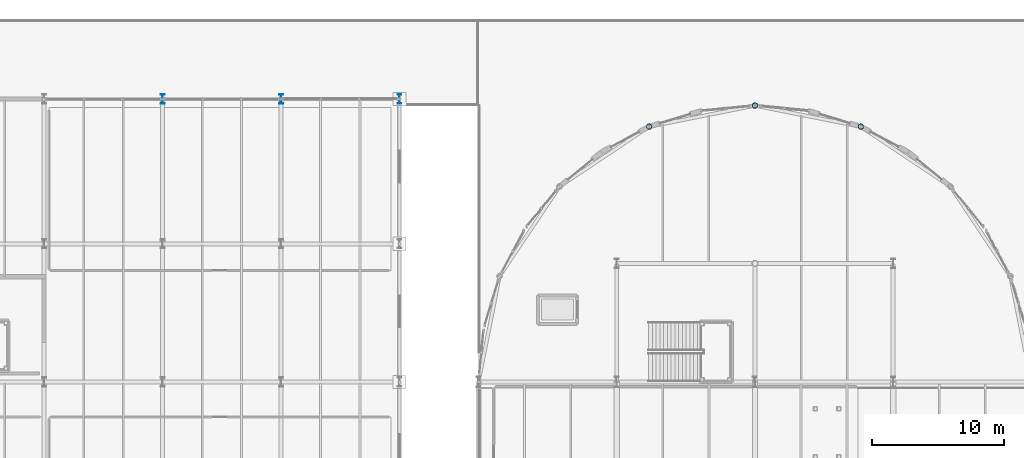
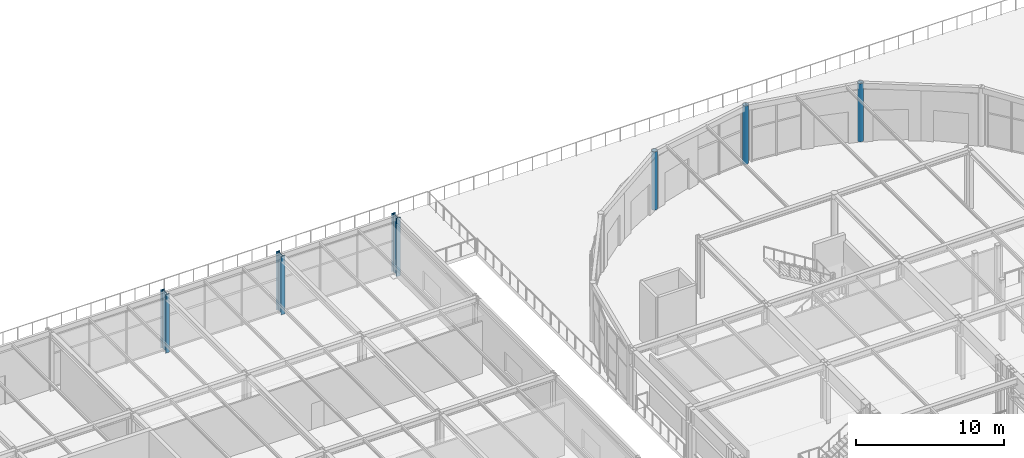
# One storey, part 26 of 143: 6 columns.
"""IFC4 building model written with IfcOpenShell, lengths in metres."""

import ifcopenshell
import ifcopenshell.guid

model = None  # the IFC model being written
_history = None  # IfcOwnerHistory: only IFC2X3 demands one
_inside = {}  # id of a spatial element -> (the spatial element, [elements in it])
_under = {}  # id of a project, library or spatial element -> (it, [spatial elements below it])
_declared = {}  # id of a project -> (the project, [libraries it declares])
_typed = {}  # id of a type object -> (the type object, [elements of that type])
_made_of = {}  # id of a material, layer set ... -> (it, [elements and type objects made of it])


def new_model(schema):
    """Start an empty IFC model of exactly this schema.

    Asked for "IFC4X3", IfcOpenShell would pick the latest addendum, in which some entities
    have other attributes; the version numbers below select the first issue.
    IFC2X3 requires an IfcOwnerHistory on every rooted entity: one is made here for all.
    """
    global model, _history
    if schema == "IFC4X3":
        model = ifcopenshell.file(schema_version=(4, 3, 0, 0))
    else:
        model = ifcopenshell.file(schema=schema)
    _inside.clear()
    _under.clear()
    _declared.clear()
    _typed.clear()
    _made_of.clear()
    _history = None
    if model.schema == "IFC2X3":
        org = make("IfcOrganization", Name="unknown")
        user = make(
            "IfcPersonAndOrganization",
            ThePerson=make("IfcPerson", FamilyName="unknown"),
            TheOrganization=org,
        )
        app = make(
            "IfcApplication",
            ApplicationDeveloper=org,
            Version="unknown",
            ApplicationFullName="unknown",
            ApplicationIdentifier="unknown",
        )
        _history = make(
            "IfcOwnerHistory",
            OwningUser=user,
            OwningApplication=app,
            ChangeAction="ADDED",
            CreationDate=0,
        )
    return model


def make(cls, **values):
    """One entity of the class cls with the attributes given. An attribute that is None is left unset."""
    return model.create_entity(
        cls, **{name: value for name, value in values.items() if value is not None}
    )


def rooted(cls, **values):
    """An entity with a GlobalId (a new one), such as an element, a storey or a relation."""
    return make(cls, GlobalId=ifcopenshell.guid.new(), OwnerHistory=_history, **values)


def si_unit(unit_type, name, prefix=None):
    """IfcSIUnit, for example si_unit("LENGTHUNIT", "METRE", prefix="MILLI")."""
    return make("IfcSIUnit", UnitType=unit_type, Prefix=prefix, Name=name)


def assignment(units):
    """IfcUnitAssignment: the units of a project."""
    return None if units is None else make("IfcUnitAssignment", Units=units)


def point(xyz):
    """IfcCartesianPoint."""
    return None if xyz is None else make("IfcCartesianPoint", Coordinates=xyz)


def direction(xyz):
    """IfcDirection."""
    return None if xyz is None else make("IfcDirection", DirectionRatios=xyz)


def frame(location, z_axis=None, x_axis=None):
    """IfcAxis2Placement3D, a coordinate frame: its origin and axes. An axis left out is left unset."""
    return make(
        "IfcAxis2Placement3D",
        Location=point(location),
        Axis=direction(z_axis),
        RefDirection=direction(x_axis),
    )


def frame_2d(location, x_axis=None):
    """IfcAxis2Placement2D, a coordinate frame in the plane: its origin and x axis."""
    return make(
        "IfcAxis2Placement2D", Location=point(location), RefDirection=direction(x_axis)
    )


def origin():
    """The frame at (0, 0, 0) with its axes left unset."""
    return frame((0.0, 0.0, 0.0))


def origin_2d():
    """The frame at (0, 0) in the plane with its x axis left unset."""
    return frame_2d((0.0, 0.0))


def place(relative_to, where):
    """IfcLocalPlacement: puts the frame where relative to a parent placement (None: the world)."""
    return make(
        "IfcLocalPlacement", PlacementRelTo=relative_to, RelativePlacement=where
    )


def context(
    kind, dimensions, precision=None, world=None, true_north=None, identifier=None
):
    """IfcGeometricRepresentationContext, for example the 3D "Model" context."""
    return make(
        "IfcGeometricRepresentationContext",
        ContextIdentifier=identifier,
        ContextType=kind,
        CoordinateSpaceDimension=dimensions,
        Precision=precision,
        WorldCoordinateSystem=world,
        TrueNorth=true_north,
    )


def subcontext(parent, identifier, kind, view, scale=None):
    """IfcGeometricRepresentationSubContext, for example "Body" below "Model"."""
    return make(
        "IfcGeometricRepresentationSubContext",
        ContextIdentifier=identifier,
        ContextType=kind,
        ParentContext=parent,
        TargetScale=scale,
        TargetView=view,
    )


def project(units=None, contexts=None):
    """IfcProject with its units and contexts."""
    return rooted(
        "IfcProject",
        Name="project",
        RepresentationContexts=contexts,
        UnitsInContext=assignment(units),
    )


def spatial(cls, under=None, at=None, **own):
    """A site, building, storey or space (cls), placed at a placement, below another one or the project."""
    s = rooted(cls, ObjectPlacement=at, **own)
    if under is not None:
        _under.setdefault(under.id(), (under, []))[1].append(s)
    return s


def profile(cls, at=None, kind="AREA", **sizes):
    """A parametric profile (cls). Its sizes go by their IFC names, for example OverallWidth=200.0."""
    return make(cls, ProfileType=kind, Position=at, **sizes)


def hollow_circle(**sizes):
    """IfcCircleHollowProfileDef."""
    return profile("IfcCircleHollowProfileDef", **sizes)


def i_section(**sizes):
    """IfcIShapeProfileDef."""
    return profile("IfcIShapeProfileDef", **sizes)


def extrude(swept, where, along, depth):
    """IfcExtrudedAreaSolid: the profile swept, set in the frame where, extruded along a direction by depth."""
    return make(
        "IfcExtrudedAreaSolid",
        SweptArea=swept,
        Position=where,
        ExtrudedDirection=direction(along),
        Depth=depth,
    )


def shape(context_of_items, identifier, shape_type, items):
    """IfcShapeRepresentation: the items that make up one representation, for example the "Body"."""
    return make(
        "IfcShapeRepresentation",
        ContextOfItems=context_of_items,
        RepresentationIdentifier=identifier,
        RepresentationType=shape_type,
        Items=items,
    )


def material(Name=None, Category=None):
    """IfcMaterial."""
    return make("IfcMaterial", Name=Name, Category=Category)


def material_profile(
    of_material, cross_section, Name=None, Category=None, Priority=None
):
    """IfcMaterialProfile: a cross section and its material."""
    return make(
        "IfcMaterialProfile",
        Name=Name,
        Material=of_material,
        Profile=cross_section,
        Priority=Priority,
        Category=Category,
    )


def profile_set(profiles, Name=None, composite=None):
    """IfcMaterialProfileSet."""
    return make(
        "IfcMaterialProfileSet",
        Name=Name,
        MaterialProfiles=profiles,
        CompositeProfile=composite,
    )


def made_of(thing, what):
    """Note that an element or type object is made of a material, layer set ...; save() writes the relation."""
    if what is not None:
        _made_of.setdefault(what.id(), (what, []))[1].append(thing)
    return thing


def type_object(cls, material=None, **own):
    """A type object (cls), such as IfcWallType, which elements share."""
    return made_of(rooted(cls, **own), material)


def element(
    cls,
    number,
    at=None,
    inside=None,
    cuts=None,
    type_object=None,
    material=None,
    context=None,
    identifier="Body",
    shape_type=None,
    held_by="IfcProductDefinitionShape",
    body=None,
    shapes=None,
    **own,
):
    """One element of the class cls, such as IfcWall. Its Tag is "e" and its number.

    at: its placement. inside: the storey or other place that contains it. cuts: it is an
    opening in that element (IfcRelVoidsElement). A single representation is given by context,
    identifier, shape_type and body (its items); several are given by shapes. held_by: the class
    of the entity that holds the representations. save() writes the other relations.
    """
    e = rooted(cls, Tag="e%d" % number, ObjectPlacement=at, **own)
    if body is not None:
        shapes = [shape(context, identifier, shape_type, body)]
    if shapes is not None:
        e.Representation = make(held_by, Representations=shapes)
    if inside is not None:
        _inside.setdefault(inside.id(), (inside, []))[1].append(e)
    if cuts is not None:
        rooted(
            "IfcRelVoidsElement", RelatingBuildingElement=cuts, RelatedOpeningElement=e
        )
    if type_object is not None:
        _typed.setdefault(type_object.id(), (type_object, []))[1].append(e)
    return made_of(e, material)


def aggregate(whole, parts):
    """IfcRelAggregates: a whole, such as a stair, and the parts it consists of."""
    return rooted("IfcRelAggregates", RelatingObject=whole, RelatedObjects=parts)


def save(model, path):
    """Write the relations noted so far, then the file.

    IfcRelAggregates (storeys below a building ...), IfcRelContainedInSpatialStructure (elements
    in a storey), IfcRelDefinesByType, IfcRelAssociatesMaterial and IfcRelDeclares: one each for
    every whole, place, type object, material and project.
    """
    for whole, parts in _under.values():
        aggregate(whole, parts)
    for where, things in _inside.values():
        rooted(
            "IfcRelContainedInSpatialStructure",
            RelatedElements=things,
            RelatingStructure=where,
        )
    for kind, things in _typed.values():
        rooted("IfcRelDefinesByType", RelatedObjects=things, RelatingType=kind)
    for what, things in _made_of.values():
        rooted("IfcRelAssociatesMaterial", RelatedObjects=things, RelatingMaterial=what)
    for by, libraries in _declared.values():
        rooted("IfcRelDeclares", RelatingContext=by, RelatedDefinitions=libraries)
    model.write(path)


model = new_model("IFC4")

# Units and contexts
model_context = context("Model", 3, precision=1e-05, world=origin(), true_north=direction((0.0, 1.0)))
body_context = subcontext(model_context, "Body", "Model", "MODEL_VIEW")
ifc_project = project(units=[si_unit("LENGTHUNIT", "METRE"), si_unit("AREAUNIT", "SQUARE_METRE"), si_unit("VOLUMEUNIT", "CUBIC_METRE"), si_unit("PLANEANGLEUNIT", "RADIAN"), si_unit("MASSUNIT", "GRAM", prefix="KILO")], contexts=[model_context])

# Site, building, storey
site_placement = place(None, origin())
site = spatial("IfcSite", under=ifc_project, at=site_placement, CompositionType="ELEMENT")
building_placement = place(site_placement, origin())
building = spatial("IfcBuilding", under=site, at=building_placement, Name="Marlcrest Central Station", CompositionType="ELEMENT")
storey_placement = place(building_placement, frame((0.0, 0.0, 4.800048828125)))
storey = spatial("IfcBuildingStorey", under=building, at=storey_placement, Name="L01", CompositionType="ELEMENT", Elevation=4.800048828125)

# Columns
ifc_material = material(Name="Steel S355", Category="steel")
ifc_material_profile_1 = material_profile(ifc_material, i_section(OverallWidth=0.300048828125, OverallDepth=0.699951171875, WebThickness=0.01708984375, FlangeThickness=0.031982421875, FilletRadius=0.027099609375, at=origin_2d()), Name="HEB 700")
ifc_profile_set_1 = profile_set([ifc_material_profile_1], Name="Steel S355")
column_type_1 = type_object("IfcColumnType", Name="SC-07", PredefinedType="COLUMN", material=ifc_profile_set_1)
for number, where, z_axis, x_axis, name in (
    (1, (63.0, 132.0, 0.0), (0.0, 0.0, 1.0), (1.0, 0.0, 0.0), "col-SC-07-L01-0108"),
    (2, (72.0, 132.0, 0.0), (0.0, 0.0, 1.0), (1.0, 0.0, 0.0), "col-SC-07-L01-0112"),
    (3, (81.0, 132.0, 0.0), (0.0, 0.0, 1.0), (1.0, 0.0, 0.0), "col-SC-07-L01-0116"),
):
    element("IfcColumn", number, at=place(storey_placement, frame(where, z_axis=z_axis, x_axis=x_axis)), inside=storey, type_object=column_type_1, Name=name, PredefinedType="COLUMN", context=body_context, shape_type="SweptSolid", body=[
        extrude(i_section(OverallWidth=0.300048828125, OverallDepth=0.699951171875, WebThickness=0.01708984375, FlangeThickness=0.031982421875, FilletRadius=0.027099609375, at=origin_2d()), origin(), (0.0, 0.0, 1.0), 4.820068359375),
    ])
ifc_material_profile_2 = material_profile(ifc_material, hollow_circle(Radius=0.203125, WallThickness=0.02001953125, at=origin_2d()), Name="CHS 406.4x20")
ifc_profile_set_2 = profile_set([ifc_material_profile_2], Name="Steel S355")
column_type_2 = type_object("IfcColumnType", Name="SC-10", PredefinedType="COLUMN", material=ifc_profile_set_2)
for number, where, z_axis, x_axis, name in (
    (4, (99.964111328125, 129.90087890625, 0.0), (0.0, 0.0, 1.0), (1.0, 0.0, 0.0), "col-SC-10-L01-0852"),
    (5, (108.0, 131.5, 0.0), (0.0, 0.0, 1.0), (1.0, 0.0, 0.0), "col-SC-10-L01-0856"),
    (6, (116.035888671875, 129.90087890625, 0.0), (0.0, 0.0, 1.0), (1.0, 0.0, 0.0), "col-SC-10-L01-0860"),
):
    element("IfcColumn", number, at=place(storey_placement, frame(where, z_axis=z_axis, x_axis=x_axis)), inside=storey, type_object=column_type_2, Name=name, PredefinedType="COLUMN", context=body_context, shape_type="SweptSolid", body=[
        extrude(hollow_circle(Radius=0.203125, WallThickness=0.02001953125, at=origin_2d()), origin(), (0.0, 0.0, 1.0), 4.81005859375),
    ])

save(model, "model.ifc")
